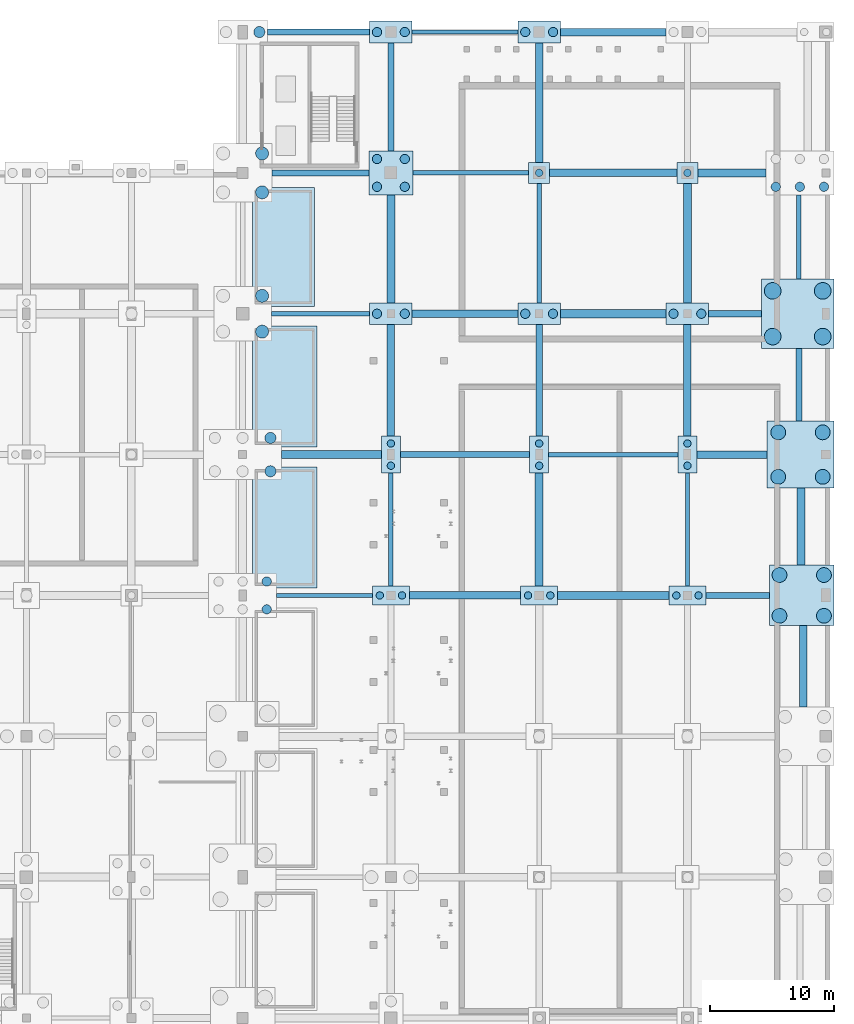
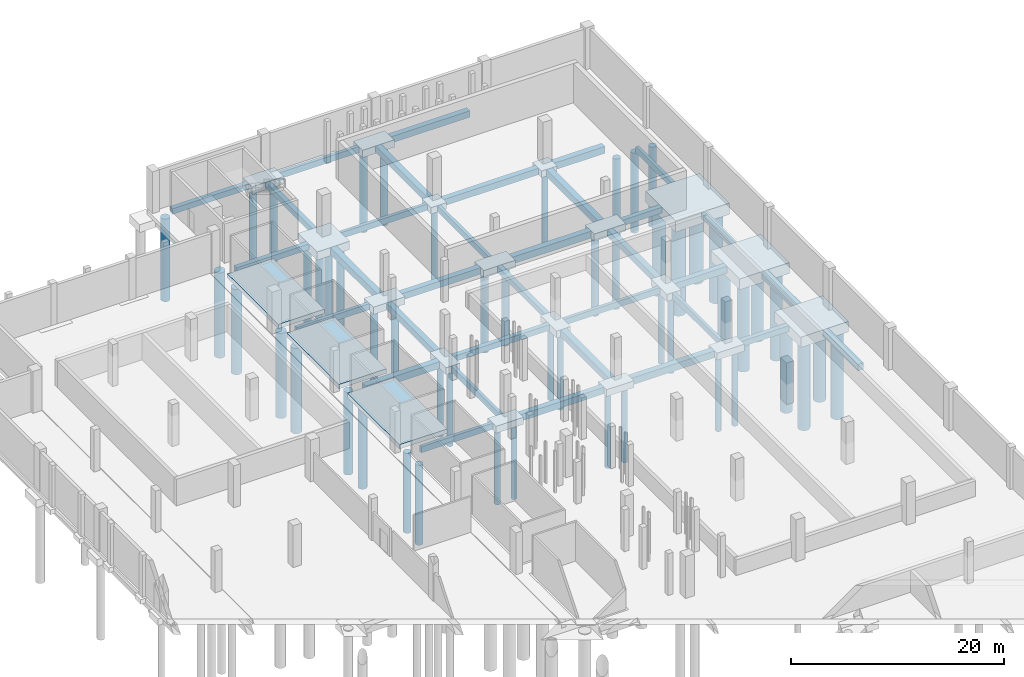
# One storey, part 9 of 34: 54 footings, 52 piles.
"""IFC4 building model written with IfcOpenShell, lengths in metres."""

from ifc_helpers import new_model, si_unit, direction, frame, origin, origin_2d, place, context, subcontext, project, spatial, rectangle, circle, extrude, material, material_profile, profile_set, type_object, element, save


model = new_model("IFC4")

# Units and contexts
model_context = context("Model", 3, precision=1e-05, world=origin(), true_north=direction((0.0, 1.0)))
body_context = subcontext(model_context, "Body", "Model", "MODEL_VIEW")
ifc_project = project(units=[si_unit("LENGTHUNIT", "METRE"), si_unit("AREAUNIT", "SQUARE_METRE"), si_unit("VOLUMEUNIT", "CUBIC_METRE"), si_unit("PLANEANGLEUNIT", "RADIAN"), si_unit("MASSUNIT", "GRAM", prefix="KILO"), si_unit("POWERUNIT", "WATT"), si_unit("THERMODYNAMICTEMPERATUREUNIT", "KELVIN")], contexts=[model_context])

# Site, building, storey
site_placement = place(None, origin())
site = spatial("IfcSite", under=ifc_project, at=site_placement, CompositionType="ELEMENT")
building_placement = place(site_placement, origin())
building = spatial("IfcBuilding", under=site, at=building_placement, Name="Kelmbourne Parkland Aquatics Centre", CompositionType="ELEMENT")
storey_placement = place(building_placement, frame((0.0, 0.0, -4.800048828125)))
storey = spatial("IfcBuildingStorey", under=building, at=storey_placement, Name="B1", CompositionType="ELEMENT", Elevation=-4.800048828125)

# Footings
ifc_material = material(Name="Waterproof concrete C50/60", Category="concrete")
footing_type_1 = type_object("IfcFootingType", Name="FT-FB1", PredefinedType="FOOTING_BEAM", material=ifc_material)
footing_1_placement = place(storey_placement, frame((168.074951171875, 69.199951171875, -1.099853515625), z_axis=(0.0, 0.0, 1.0), x_axis=(1.0, 0.0, 0.0)))
element("IfcFooting", 1, at=footing_1_placement, inside=storey, type_object=footing_type_1, Name="Ground tie beam S-T on Grid 10", PredefinedType="FOOTING_BEAM", context=body_context, shape_type="SweptSolid", body=[
    extrude(rectangle(XDim=5.14990234375, YDim=0.5, at=origin_2d()), origin(), (0.0, 0.0, 1.0), 0.64990234375),
])
footing_2_placement = place(storey_placement, frame((146.0, 80.60009765625, -1.099853515625), z_axis=(0.0, 0.0, 1.0), x_axis=(1.0, 0.0, 0.0)))
element("IfcFooting", 2, at=footing_2_placement, inside=storey, type_object=footing_type_1, Name="Ground tie beam Q-R on Grid 11", PredefinedType="FOOTING_BEAM", context=body_context, shape_type="SweptSolid", body=[
    extrude(rectangle(XDim=10.449951171875, YDim=0.5, at=origin_2d()), origin(), (0.0, 0.0, 1.0), 0.64990234375),
])
footing_3_placement = place(storey_placement, frame((167.862548828125, 92.0, -1.099853515625), z_axis=(0.0, 0.0, 1.0), x_axis=(1.0, 0.0, 0.0)))
element("IfcFooting", 3, at=footing_3_placement, inside=storey, type_object=footing_type_1, Name="Ground tie beam S-T on Grid 12", PredefinedType="FOOTING_BEAM", context=body_context, shape_type="SweptSolid", body=[
    extrude(rectangle(XDim=4.27490234375, YDim=0.5, at=origin_2d()), origin(), (0.0, 0.0, 1.0), 0.64990234375),
])
footing_4_placement = place(storey_placement, frame((134.300048828125, 103.39990234375, -1.099853515625), z_axis=(0.0, 0.0, 1.0), x_axis=(1.0, 0.0, 0.0)))
element("IfcFooting", 4, at=footing_4_placement, inside=storey, type_object=footing_type_1, Name="Ground tie beam P-Q on Grid 13", PredefinedType="FOOTING_BEAM", context=body_context, shape_type="SweptSolid", body=[
    extrude(rectangle(XDim=7.85009765625, YDim=0.5, at=origin_2d()), origin(), (0.0, 0.0, 1.0), 0.64990234375),
])
footing_5_placement = place(storey_placement, frame((134.137451171875, 114.800048828125, -1.099853515625), z_axis=(0.0, 0.0, 1.0), x_axis=(1.0, 0.0, 0.0)))
element("IfcFooting", 5, at=footing_5_placement, inside=storey, type_object=footing_type_1, Name="Ground tie beam P-Q on Grid 14", PredefinedType="FOOTING_BEAM", context=body_context, shape_type="SweptSolid", body=[
    extrude(rectangle(XDim=8.27490234375, YDim=0.5, at=origin_2d()), origin(), (0.0, 0.0, 1.0), 0.64990234375),
])
footing_6_placement = place(storey_placement, frame((140.0, 109.550048828125, -1.099853515625), z_axis=(0.0, 0.0, 1.0), x_axis=(0.0, 1.0, 0.0)))
element("IfcFooting", 6, at=footing_6_placement, inside=storey, type_object=footing_type_1, Name="Ground tie beam 13-14 on Grid Q", PredefinedType="FOOTING_BEAM", context=body_context, shape_type="SweptSolid", body=[
    extrude(rectangle(XDim=8.75, YDim=0.5, at=origin_2d()), origin(), (0.0, 0.0, 1.0), 0.64990234375),
])
footing_7_placement = place(storey_placement, frame((152.0, 86.612548828125, -1.099853515625), z_axis=(0.0, 0.0, 1.0), x_axis=(0.0, 1.0, 0.0)))
element("IfcFooting", 7, at=footing_7_placement, inside=storey, type_object=footing_type_1, Name="Ground tie beam 11-12 on Grid R", PredefinedType="FOOTING_BEAM", context=body_context, shape_type="SweptSolid", body=[
    extrude(rectangle(XDim=9.02490234375, YDim=0.5, at=origin_2d()), origin(), (0.0, 0.0, 1.0), 0.64990234375),
])
footing_8_placement = place(storey_placement, frame((173.03759765625, 86.237548828125, -1.099853515625), z_axis=(0.0, 0.0, 1.0), x_axis=(0.0, 1.0, 0.0)))
element("IfcFooting", 8, at=footing_8_placement, inside=storey, type_object=footing_type_1, Name="Ground tie beam 11-12 on Grid T", PredefinedType="FOOTING_BEAM", context=body_context, shape_type="SweptSolid", body=[
    extrude(rectangle(XDim=5.875, YDim=0.5, at=origin_2d()), origin(), (0.0, 0.0, 1.0), 0.64990234375),
])
footing_type_2 = type_object("IfcFootingType", Name="FT-FB2", PredefinedType="FOOTING_BEAM", material=ifc_material)
footing_9_placement = place(storey_placement, frame((134.625, 69.199951171875, -1.14990234375), z_axis=(0.0, 0.0, 1.0), x_axis=(1.0, 0.0, 0.0)))
element("IfcFooting", 9, at=footing_9_placement, inside=storey, type_object=footing_type_2, Name="Ground tie beam P-Q on Grid 10", PredefinedType="FOOTING_BEAM", context=body_context, shape_type="SweptSolid", body=[
    extrude(rectangle(XDim=7.75, YDim=0.35009765625, at=origin_2d()), origin(), (0.0, 0.0, 1.0), 0.699951171875),
])
footing_10_placement = place(storey_placement, frame((158.0, 80.60009765625, -1.14990234375), z_axis=(0.0, 0.0, 1.0), x_axis=(1.0, 0.0, 0.0)))
element("IfcFooting", 10, at=footing_10_placement, inside=storey, type_object=footing_type_2, Name="Ground tie beam R-S on Grid 11", PredefinedType="FOOTING_BEAM", context=body_context, shape_type="SweptSolid", body=[
    extrude(rectangle(XDim=10.449951171875, YDim=0.35009765625, at=origin_2d()), origin(), (0.0, 0.0, 1.0), 0.699951171875),
])
footing_11_placement = place(storey_placement, frame((134.300048828125, 92.0, -1.14990234375), z_axis=(0.0, 0.0, 1.0), x_axis=(1.0, 0.0, 0.0)))
element("IfcFooting", 11, at=footing_11_placement, inside=storey, type_object=footing_type_2, Name="Ground tie beam P-Q on Grid 12", PredefinedType="FOOTING_BEAM", context=body_context, shape_type="SweptSolid", body=[
    extrude(rectangle(XDim=7.949951171875, YDim=0.35009765625, at=origin_2d()), origin(), (0.0, 0.0, 1.0), 0.699951171875),
])
footing_12_placement = place(storey_placement, frame((146.46240234375, 103.39990234375, -1.14990234375), z_axis=(0.0, 0.0, 1.0), x_axis=(1.0, 0.0, 0.0)))
element("IfcFooting", 12, at=footing_12_placement, inside=storey, type_object=footing_type_2, Name="Ground tie beam Q-R on Grid 13", PredefinedType="FOOTING_BEAM", context=body_context, shape_type="SweptSolid", body=[
    extrude(rectangle(XDim=9.375, YDim=0.35009765625, at=origin_2d()), origin(), (0.0, 0.0, 1.0), 0.699951171875),
])
footing_13_placement = place(storey_placement, frame((146.0, 114.800048828125, -1.14990234375), z_axis=(0.0, 0.0, 1.0), x_axis=(1.0, 0.0, 0.0)))
element("IfcFooting", 13, at=footing_13_placement, inside=storey, type_object=footing_type_2, Name="Ground tie beam Q-R on Grid 14", PredefinedType="FOOTING_BEAM", context=body_context, shape_type="SweptSolid", body=[
    extrude(rectangle(XDim=8.550048828125, YDim=0.35009765625, at=origin_2d()), origin(), (0.0, 0.0, 1.0), 0.699951171875),
])
footing_14_placement = place(storey_placement, frame((140.0, 74.53759765625, -1.14990234375), z_axis=(0.0, 0.0, 1.0), x_axis=(0.0, 1.0, 0.0)))
element("IfcFooting", 14, at=footing_14_placement, inside=storey, type_object=footing_type_2, Name="Ground tie beam 10-11 on Grid Q", PredefinedType="FOOTING_BEAM", context=body_context, shape_type="SweptSolid", body=[
    extrude(rectangle(XDim=9.125, YDim=0.35009765625, at=origin_2d()), origin(), (0.0, 0.0, 1.0), 0.699951171875),
])
footing_15_placement = place(storey_placement, frame((152.0, 97.71240234375, -1.14990234375), z_axis=(0.0, 0.0, 1.0), x_axis=(0.0, 1.0, 0.0)))
element("IfcFooting", 15, at=footing_15_placement, inside=storey, type_object=footing_type_2, Name="Ground tie beam 12-13 on Grid R", PredefinedType="FOOTING_BEAM", context=body_context, shape_type="SweptSolid", body=[
    extrude(rectangle(XDim=9.675048828125, YDim=0.35009765625, at=origin_2d()), origin(), (0.0, 0.0, 1.0), 0.699951171875),
])
footing_16_placement = place(storey_placement, frame((164.0, 74.53759765625, -1.14990234375), z_axis=(0.0, 0.0, 1.0), x_axis=(0.0, 1.0, 0.0)))
element("IfcFooting", 16, at=footing_16_placement, inside=storey, type_object=footing_type_2, Name="Ground tie beam 10-11 on Grid S", PredefinedType="FOOTING_BEAM", context=body_context, shape_type="SweptSolid", body=[
    extrude(rectangle(XDim=9.125, YDim=0.35009765625, at=origin_2d()), origin(), (0.0, 0.0, 1.0), 0.699951171875),
])
footing_17_placement = place(storey_placement, frame((173.012451171875, 98.22509765625, -1.14990234375), z_axis=(0.0, 0.0, 1.0), x_axis=(0.0, 1.0, 0.0)))
element("IfcFooting", 17, at=footing_17_placement, inside=storey, type_object=footing_type_2, Name="Ground tie beam 12-13 on Grid T", PredefinedType="FOOTING_BEAM", context=body_context, shape_type="SweptSolid", body=[
    extrude(rectangle(XDim=6.800048828125, YDim=0.35009765625, at=origin_2d()), origin(), (0.0, 0.0, 1.0), 0.699951171875),
])
footing_type_3 = type_object("IfcFootingType", Name="FT-FB3", PredefinedType="FOOTING_BEAM", material=ifc_material)
footing_18_placement = place(storey_placement, frame((146.0, 69.199951171875, -1.199951171875), z_axis=(0.0, 0.0, 1.0), x_axis=(1.0, 0.0, 0.0)))
element("IfcFooting", 18, at=footing_18_placement, inside=storey, type_object=footing_type_3, Name="Ground tie beam Q-R on Grid 10", PredefinedType="FOOTING_BEAM", context=body_context, shape_type="SweptSolid", body=[
    extrude(rectangle(XDim=9.0, YDim=0.60009765625, at=origin_2d()), origin(), (0.0, 0.0, 1.0), 0.75),
])
footing_19_placement = place(storey_placement, frame((167.612548828125, 80.60009765625, -1.199951171875), z_axis=(0.0, 0.0, 1.0), x_axis=(1.0, 0.0, 0.0)))
element("IfcFooting", 19, at=footing_19_placement, inside=storey, type_object=footing_type_3, Name="Ground tie beam S-T on Grid 11", PredefinedType="FOOTING_BEAM", context=body_context, shape_type="SweptSolid", body=[
    extrude(rectangle(XDim=5.675048828125, YDim=0.60009765625, at=origin_2d()), origin(), (0.0, 0.0, 1.0), 0.75),
])
footing_20_placement = place(storey_placement, frame((146.0, 92.0, -1.199951171875), z_axis=(0.0, 0.0, 1.0), x_axis=(1.0, 0.0, 0.0)))
element("IfcFooting", 20, at=footing_20_placement, inside=storey, type_object=footing_type_3, Name="Ground tie beam Q-R on Grid 12", PredefinedType="FOOTING_BEAM", context=body_context, shape_type="SweptSolid", body=[
    extrude(rectangle(XDim=8.550048828125, YDim=0.60009765625, at=origin_2d()), origin(), (0.0, 0.0, 1.0), 0.75),
])
footing_21_placement = place(storey_placement, frame((158.0, 103.39990234375, -1.199951171875), z_axis=(0.0, 0.0, 1.0), x_axis=(1.0, 0.0, 0.0)))
element("IfcFooting", 21, at=footing_21_placement, inside=storey, type_object=footing_type_3, Name="Ground tie beam R-S on Grid 13", PredefinedType="FOOTING_BEAM", context=body_context, shape_type="SweptSolid", body=[
    extrude(rectangle(XDim=10.300048828125, YDim=0.60009765625, at=origin_2d()), origin(), (0.0, 0.0, 1.0), 0.75),
])
footing_22_placement = place(storey_placement, frame((158.0, 114.800048828125, -1.199951171875), z_axis=(0.0, 0.0, 1.0), x_axis=(1.0, 0.0, 0.0)))
element("IfcFooting", 22, at=footing_22_placement, inside=storey, type_object=footing_type_3, Name="Ground tie beam R-S on Grid 14", PredefinedType="FOOTING_BEAM", context=body_context, shape_type="SweptSolid", body=[
    extrude(rectangle(XDim=8.550048828125, YDim=0.60009765625, at=origin_2d()), origin(), (0.0, 0.0, 1.0), 0.75),
])
footing_23_placement = place(storey_placement, frame((140.0, 86.612548828125, -1.199951171875), z_axis=(0.0, 0.0, 1.0), x_axis=(0.0, 1.0, 0.0)))
element("IfcFooting", 23, at=footing_23_placement, inside=storey, type_object=footing_type_3, Name="Ground tie beam 11-12 on Grid Q", PredefinedType="FOOTING_BEAM", context=body_context, shape_type="SweptSolid", body=[
    extrude(rectangle(XDim=9.02490234375, YDim=0.60009765625, at=origin_2d()), origin(), (0.0, 0.0, 1.0), 0.75),
])
footing_24_placement = place(storey_placement, frame((152.0, 109.08740234375, -1.199951171875), z_axis=(0.0, 0.0, 1.0), x_axis=(0.0, 1.0, 0.0)))
element("IfcFooting", 24, at=footing_24_placement, inside=storey, type_object=footing_type_3, Name="Ground tie beam 13-14 on Grid R", PredefinedType="FOOTING_BEAM", context=body_context, shape_type="SweptSolid", body=[
    extrude(rectangle(XDim=9.675048828125, YDim=0.60009765625, at=origin_2d()), origin(), (0.0, 0.0, 1.0), 0.75),
])
footing_25_placement = place(storey_placement, frame((164.0, 86.612548828125, -1.199951171875), z_axis=(0.0, 0.0, 1.0), x_axis=(0.0, 1.0, 0.0)))
element("IfcFooting", 25, at=footing_25_placement, inside=storey, type_object=footing_type_3, Name="Ground tie beam 11-12 on Grid S", PredefinedType="FOOTING_BEAM", context=body_context, shape_type="SweptSolid", body=[
    extrude(rectangle(XDim=9.02490234375, YDim=0.60009765625, at=origin_2d()), origin(), (0.0, 0.0, 1.0), 0.75),
])
footing_26_placement = place(storey_placement, frame((173.362548828125, 63.46240234375, -1.199951171875), z_axis=(0.0, 0.0, 1.0), x_axis=(0.0, 1.0, 0.0)))
element("IfcFooting", 26, at=footing_26_placement, inside=storey, type_object=footing_type_3, Name="Ground tie beam 08-10 on Grid T", PredefinedType="FOOTING_BEAM", context=body_context, shape_type="SweptSolid", body=[
    extrude(rectangle(XDim=6.574951171875, YDim=0.60009765625, at=origin_2d()), origin(), (0.0, 0.0, 1.0), 0.75),
])
footing_type_4 = type_object("IfcFootingType", Name="FT-FB4", PredefinedType="FOOTING_BEAM", material=ifc_material)
footing_27_placement = place(storey_placement, frame((158.0, 69.199951171875, -1.25), z_axis=(0.0, 0.0, 1.0), x_axis=(1.0, 0.0, 0.0)))
element("IfcFooting", 27, at=footing_27_placement, inside=storey, type_object=footing_type_4, Name="Ground tie beam R-S on Grid 10", PredefinedType="FOOTING_BEAM", context=body_context, shape_type="SweptSolid", body=[
    extrude(rectangle(XDim=9.0, YDim=0.64990234375, at=origin_2d()), origin(), (0.0, 0.0, 1.0), 0.800048828125),
])
footing_28_placement = place(storey_placement, frame((135.1875, 80.60009765625, -1.25), z_axis=(0.0, 0.0, 1.0), x_axis=(1.0, 0.0, 0.0)))
element("IfcFooting", 28, at=footing_28_placement, inside=storey, type_object=footing_type_4, Name="Ground tie beam P-Q on Grid 11", PredefinedType="FOOTING_BEAM", context=body_context, shape_type="SweptSolid", body=[
    extrude(rectangle(XDim=8.074951171875, YDim=0.64990234375, at=origin_2d()), origin(), (0.0, 0.0, 1.0), 0.800048828125),
])
footing_29_placement = place(storey_placement, frame((158.0, 92.0, -1.25), z_axis=(0.0, 0.0, 1.0), x_axis=(1.0, 0.0, 0.0)))
element("IfcFooting", 29, at=footing_29_placement, inside=storey, type_object=footing_type_4, Name="Ground tie beam R-S on Grid 12", PredefinedType="FOOTING_BEAM", context=body_context, shape_type="SweptSolid", body=[
    extrude(rectangle(XDim=8.550048828125, YDim=0.64990234375, at=origin_2d()), origin(), (0.0, 0.0, 1.0), 0.800048828125),
])
footing_30_placement = place(storey_placement, frame((167.60009765625, 103.39990234375, -1.25), z_axis=(0.0, 0.0, 1.0), x_axis=(1.0, 0.0, 0.0)))
element("IfcFooting", 30, at=footing_30_placement, inside=storey, type_object=footing_type_4, Name="Ground tie beam S-T on Grid 13", PredefinedType="FOOTING_BEAM", context=body_context, shape_type="SweptSolid", body=[
    extrude(rectangle(XDim=5.5, YDim=0.64990234375, at=origin_2d()), origin(), (0.0, 0.0, 1.0), 0.800048828125),
])
footing_31_placement = place(storey_placement, frame((140.0, 97.25, -1.25), z_axis=(0.0, 0.0, 1.0), x_axis=(0.0, 1.0, 0.0)))
element("IfcFooting", 31, at=footing_31_placement, inside=storey, type_object=footing_type_4, Name="Ground tie beam 12-13 on Grid Q", PredefinedType="FOOTING_BEAM", context=body_context, shape_type="SweptSolid", body=[
    extrude(rectangle(XDim=8.75, YDim=0.64990234375, at=origin_2d()), origin(), (0.0, 0.0, 1.0), 0.800048828125),
])
footing_32_placement = place(storey_placement, frame((152.0, 74.53759765625, -1.25), z_axis=(0.0, 0.0, 1.0), x_axis=(0.0, 1.0, 0.0)))
element("IfcFooting", 32, at=footing_32_placement, inside=storey, type_object=footing_type_4, Name="Ground tie beam 10-11 on Grid R", PredefinedType="FOOTING_BEAM", context=body_context, shape_type="SweptSolid", body=[
    extrude(rectangle(XDim=9.125, YDim=0.64990234375, at=origin_2d()), origin(), (0.0, 0.0, 1.0), 0.800048828125),
])
footing_33_placement = place(storey_placement, frame((164.0, 97.71240234375, -1.25), z_axis=(0.0, 0.0, 1.0), x_axis=(0.0, 1.0, 0.0)))
element("IfcFooting", 33, at=footing_33_placement, inside=storey, type_object=footing_type_4, Name="Ground tie beam 12-13 on Grid S", PredefinedType="FOOTING_BEAM", context=body_context, shape_type="SweptSolid", body=[
    extrude(rectangle(XDim=9.675048828125, YDim=0.64990234375, at=origin_2d()), origin(), (0.0, 0.0, 1.0), 0.800048828125),
])
footing_34_placement = place(storey_placement, frame((173.199951171875, 74.77490234375, -1.25), z_axis=(0.0, 0.0, 1.0), x_axis=(0.0, 1.0, 0.0)))
element("IfcFooting", 34, at=footing_34_placement, inside=storey, type_object=footing_type_4, Name="Ground tie beam 10-11 on Grid T", PredefinedType="FOOTING_BEAM", context=body_context, shape_type="SweptSolid", body=[
    extrude(rectangle(XDim=6.25, YDim=0.64990234375, at=origin_2d()), origin(), (0.0, 0.0, 1.0), 0.800048828125),
])
footing_type_5 = type_object("IfcFootingType", Name="FT-PC01", PredefinedType="PILE_CAP", material=ifc_material)
for number, where, z_axis, x_axis, name in (
    (35, (152.0, 103.39990234375, -1.199951171875), (0.0, 0.0, 1.0), (1.0, 0.0, 0.0), "Bored pile cap PC-R-13"),
    (36, (164.0, 103.39990234375, -1.199951171875), (0.0, 0.0, 1.0), (1.0, 0.0, 0.0), "Bored pile cap PC-S-13"),
):
    element("IfcFooting", number, at=place(storey_placement, frame(where, z_axis=z_axis, x_axis=x_axis)), inside=storey, type_object=footing_type_5, Name=name, PredefinedType="PILE_CAP", context=body_context, shape_type="SweptSolid", body=[
        extrude(rectangle(XDim=1.699951171875, YDim=1.699951171875, at=origin_2d()), origin(), (0.0, 0.0, 1.0), 0.75),
    ])
footing_type_6 = type_object("IfcFootingType", Name="FT-PC04", PredefinedType="PILE_CAP", material=ifc_material)
for number, where, z_axis, x_axis, name in (
    (37, (140.0, 69.199951171875, -1.25), (0.0, 0.0, 1.0), (1.0, 0.0, 0.0), "Bored pile cap PC-Q-10"),
    (38, (152.0, 69.199951171875, -1.25), (0.0, 0.0, 1.0), (1.0, 0.0, 0.0), "Bored pile cap PC-R-10"),
    (39, (164.0, 69.199951171875, -1.25), (0.0, 0.0, 1.0), (1.0, 0.0, 0.0), "Bored pile cap PC-S-10"),
):
    element("IfcFooting", number, at=place(storey_placement, frame(where, z_axis=z_axis, x_axis=x_axis)), inside=storey, type_object=footing_type_6, Name=name, PredefinedType="PILE_CAP", context=body_context, shape_type="SweptSolid", body=[
        extrude(rectangle(XDim=3.0, YDim=1.550048828125, at=origin_2d()), origin(), (0.0, 0.0, 1.0), 0.800048828125),
    ])
footing_type_7 = type_object("IfcFootingType", Name="FT-PC05", PredefinedType="PILE_CAP", material=ifc_material)
for number, where, z_axis, x_axis, name in (
    (40, (140.0, 80.60009765625, -1.25), (0.0, 0.0, 1.0), (1.0, 0.0, 0.0), "Bored pile cap PC-Q-11"),
    (41, (152.0, 80.60009765625, -1.25), (0.0, 0.0, 1.0), (1.0, 0.0, 0.0), "Bored pile cap PC-R-11"),
    (42, (164.0, 80.60009765625, -1.25), (0.0, 0.0, 1.0), (1.0, 0.0, 0.0), "Bored pile cap PC-S-11"),
):
    element("IfcFooting", number, at=place(storey_placement, frame(where, z_axis=z_axis, x_axis=x_axis)), inside=storey, type_object=footing_type_7, Name=name, PredefinedType="PILE_CAP", context=body_context, shape_type="SweptSolid", body=[
        extrude(rectangle(XDim=1.550048828125, YDim=3.0, at=origin_2d()), origin(), (0.0, 0.0, 1.0), 0.800048828125),
    ])
footing_type_8 = type_object("IfcFootingType", Name="FT-PC06", PredefinedType="PILE_CAP", material=ifc_material)
for number, where, z_axis, x_axis, name in (
    (43, (140.0, 92.0, -1.300048828125), (0.0, 0.0, 1.0), (1.0, 0.0, 0.0), "Bored pile cap PC-Q-12"),
    (44, (140.0, 114.800048828125, -1.300048828125), (0.0, 0.0, 1.0), (1.0, 0.0, 0.0), "Bored pile cap PC-Q-14"),
    (45, (152.0, 92.0, -1.300048828125), (0.0, 0.0, 1.0), (1.0, 0.0, 0.0), "Bored pile cap PC-R-12"),
    (46, (152.0, 114.800048828125, -1.300048828125), (0.0, 0.0, 1.0), (1.0, 0.0, 0.0), "Bored pile cap PC-R-14"),
    (47, (164.0, 92.0, -1.300048828125), (0.0, 0.0, 1.0), (1.0, 0.0, 0.0), "Bored pile cap PC-S-12"),
):
    element("IfcFooting", number, at=place(storey_placement, frame(where, z_axis=z_axis, x_axis=x_axis)), inside=storey, type_object=footing_type_8, Name=name, PredefinedType="PILE_CAP", context=body_context, shape_type="SweptSolid", body=[
        extrude(rectangle(XDim=3.449951171875, YDim=1.75, at=origin_2d()), origin(), (0.0, 0.0, 1.0), 0.85009765625),
    ])
footing_type_9 = type_object("IfcFootingType", Name="FT-PC13", PredefinedType="PILE_CAP", material=ifc_material)
footing_35_placement = place(storey_placement, frame((140.0, 103.39990234375, -1.39990234375), z_axis=(0.0, 0.0, 1.0), x_axis=(1.0, 0.0, 0.0)))
element("IfcFooting", 48, at=footing_35_placement, inside=storey, type_object=footing_type_9, Name="Bored pile cap PC-Q-13", PredefinedType="PILE_CAP", context=body_context, shape_type="SweptSolid", body=[
    extrude(rectangle(XDim=3.550048828125, YDim=3.550048828125, at=origin_2d()), origin(), (0.0, 0.0, 1.0), 0.949951171875),
])
footing_type_10 = type_object("IfcFootingType", Name="FT-PC18", PredefinedType="PILE_CAP", material=ifc_material)
footing_36_placement = place(storey_placement, frame((173.25, 69.199951171875, -1.64990234375), z_axis=(0.0, 0.0, 1.0), x_axis=(1.0, 0.0, 0.0)))
element("IfcFooting", 49, at=footing_36_placement, inside=storey, type_object=footing_type_10, Name="Bored pile cap PC-T-10", PredefinedType="PILE_CAP", context=body_context, shape_type="SweptSolid", body=[
    extrude(rectangle(XDim=5.199951171875, YDim=4.89990234375, at=origin_2d()), origin(), (0.0, 0.0, 1.0), 1.199951171875),
])
footing_type_11 = type_object("IfcFootingType", Name="FT-PC19", PredefinedType="PILE_CAP", material=ifc_material)
footing_37_placement = place(storey_placement, frame((173.14990234375, 80.60009765625, -1.699951171875), z_axis=(0.0, 0.0, 1.0), x_axis=(1.0, 0.0, 0.0)))
element("IfcFooting", 50, at=footing_37_placement, inside=storey, type_object=footing_type_11, Name="Bored pile cap PC-T-11", PredefinedType="PILE_CAP", context=body_context, shape_type="SweptSolid", body=[
    extrude(rectangle(XDim=5.39990234375, YDim=5.39990234375, at=origin_2d()), origin(), (0.0, 0.0, 1.0), 1.25),
])
footing_type_12 = type_object("IfcFootingType", Name="FT-PC20", PredefinedType="PILE_CAP", material=ifc_material)
footing_38_placement = place(storey_placement, frame((172.925048828125, 92.0, -1.75), z_axis=(0.0, 0.0, 1.0), x_axis=(1.0, 0.0, 0.0)))
element("IfcFooting", 51, at=footing_38_placement, inside=storey, type_object=footing_type_12, Name="Bored pile cap PC-T-12", PredefinedType="PILE_CAP", context=body_context, shape_type="SweptSolid", body=[
    extrude(rectangle(XDim=5.85009765625, YDim=5.64990234375, at=origin_2d()), origin(), (0.0, 0.0, 1.0), 1.300048828125),
])
footing_type_13 = type_object("IfcFootingType", Name="FT-SF1", PredefinedType="STRIP_FOOTING", material=ifc_material)
footing_39_placement = place(storey_placement, frame((131.300048828125, 97.39990234375, -0.5), z_axis=(0.0, 0.0, 1.0), x_axis=(1.0, 0.0, 0.0)))
element("IfcFooting", 52, at=footing_39_placement, inside=storey, type_object=footing_type_13, Name="Main Bowl North Concourse Exit Stair foundation pad", PredefinedType="STRIP_FOOTING", context=body_context, shape_type="SweptSolid", body=[
    extrude(rectangle(XDim=5.0, YDim=9.60009765625, at=origin_2d()), origin(), (0.0, 0.0, 1.0), 0.5),
])
for number, where, z_axis, x_axis, name in (
    (53, (131.39990234375, 74.699951171875, -0.5), (0.0, 0.0, 1.0), (1.0, 0.0, 0.0), "Spectator Bowl Exit Stair Bay 7 foundation pad"),
    (54, (131.39990234375, 86.10009765625, -0.5), (0.0, 0.0, 1.0), (1.0, 0.0, 0.0), "Spectator Bowl Exit Stair Bay 8 foundation pad"),
):
    element("IfcFooting", number, at=place(storey_placement, frame(where, z_axis=z_axis, x_axis=x_axis)), inside=storey, type_object=footing_type_13, Name=name, PredefinedType="STRIP_FOOTING", context=body_context, shape_type="SweptSolid", body=[
        extrude(rectangle(XDim=5.199951171875, YDim=9.800048828125, at=origin_2d()), origin(), (0.0, 0.0, 1.0), 0.5),
    ])

# Piles
ifc_material_profile_1 = material_profile(ifc_material, circle(Radius=0.52490234375, at=origin_2d()), Name="PILE D1050")
ifc_profile_set_1 = profile_set([ifc_material_profile_1], Name="Waterproof concrete C50/60")
pile_type_1 = type_object("IfcPileType", Name="PL-1050", PredefinedType="BORED", material=ifc_profile_set_1)
for number, where, z_axis, x_axis, name in (
    (55, (129.574951171875, 90.550048828125, -1.449951171875), (0.0, 0.0, -1.0), (1.0, 0.0, 0.0), "Rock-socketed bored pile P-12-2"),
    (56, (129.574951171875, 93.449951171875, -1.449951171875), (0.0, 0.0, -1.0), (1.0, 0.0, 0.0), "Rock-socketed bored pile P-12-4"),
    (57, (129.574951171875, 101.824951171875, -1.5), (0.0, 0.0, -1.0), (1.0, 0.0, 0.0), "Rock-socketed bored pile P-13-2"),
    (58, (129.574951171875, 104.97509765625, -1.5), (0.0, 0.0, -1.0), (1.0, 0.0, 0.0), "Rock-socketed bored pile P-13-4"),
):
    element("IfcPile", number, at=place(storey_placement, frame(where, z_axis=z_axis, x_axis=x_axis)), inside=storey, type_object=pile_type_1, Name=name, PredefinedType="BORED", context=body_context, shape_type="SweptSolid", body=[
        extrude(circle(Radius=0.52490234375, at=origin_2d()), origin(), (0.0, 0.0, 1.0), 9.800048828125),
    ])
ifc_material_profile_2 = material_profile(ifc_material, circle(Radius=0.60009765625, at=origin_2d()), Name="PILE D1200")
ifc_profile_set_2 = profile_set([ifc_material_profile_2], Name="Waterproof concrete C50/60")
pile_type_2 = type_object("IfcPileType", Name="PL-1200", PredefinedType="BORED", material=ifc_profile_set_2)
for number, where, z_axis, x_axis, name in (
    (59, (171.449951171875, 67.550048828125, -1.550048828125), (0.0, 0.0, -1.0), (1.0, 0.0, 0.0), "Rock-socketed bored pile T-10-1"),
    (60, (175.050048828125, 67.550048828125, -1.550048828125), (0.0, 0.0, -1.0), (1.0, 0.0, 0.0), "Rock-socketed bored pile T-10-2"),
    (61, (171.449951171875, 70.85009765625, -1.550048828125), (0.0, 0.0, -1.0), (1.0, 0.0, 0.0), "Rock-socketed bored pile T-10-3"),
    (62, (175.050048828125, 70.85009765625, -1.550048828125), (0.0, 0.0, -1.0), (1.0, 0.0, 0.0), "Rock-socketed bored pile T-10-4"),
    (63, (171.35009765625, 78.800048828125, -1.599853515625), (0.0, 0.0, -1.0), (1.0, 0.0, 0.0), "Rock-socketed bored pile T-11-1"),
    (64, (174.949951171875, 78.800048828125, -1.599853515625), (0.0, 0.0, -1.0), (1.0, 0.0, 0.0), "Rock-socketed bored pile T-11-2"),
    (65, (171.35009765625, 82.39990234375, -1.599853515625), (0.0, 0.0, -1.0), (1.0, 0.0, 0.0), "Rock-socketed bored pile T-11-3"),
    (66, (174.949951171875, 82.39990234375, -1.599853515625), (0.0, 0.0, -1.0), (1.0, 0.0, 0.0), "Rock-socketed bored pile T-11-4"),
):
    element("IfcPile", number, at=place(storey_placement, frame(where, z_axis=z_axis, x_axis=x_axis)), inside=storey, type_object=pile_type_2, Name=name, PredefinedType="BORED", context=body_context, shape_type="SweptSolid", body=[
        extrude(circle(Radius=0.60009765625, at=origin_2d()), origin(), (0.0, 0.0, 1.0), 10.0),
    ])
ifc_material_profile_3 = material_profile(ifc_material, circle(Radius=0.675048828125, at=origin_2d()), Name="PILE D1350")
ifc_profile_set_3 = profile_set([ifc_material_profile_3], Name="Waterproof concrete C50/60")
pile_type_3 = type_object("IfcPileType", Name="PL-1350", PredefinedType="BORED", material=ifc_profile_set_3)
for number, where, z_axis, x_axis, name in (
    (67, (170.89990234375, 90.14990234375, -1.64990234375), (0.0, 0.0, -1.0), (1.0, 0.0, 0.0), "Rock-socketed bored pile T-12-1"),
    (68, (174.949951171875, 90.14990234375, -1.64990234375), (0.0, 0.0, -1.0), (1.0, 0.0, 0.0), "Rock-socketed bored pile T-12-2"),
    (69, (170.89990234375, 93.85009765625, -1.64990234375), (0.0, 0.0, -1.0), (1.0, 0.0, 0.0), "Rock-socketed bored pile T-12-3"),
    (70, (174.949951171875, 93.85009765625, -1.64990234375), (0.0, 0.0, -1.0), (1.0, 0.0, 0.0), "Rock-socketed bored pile T-12-4"),
):
    element("IfcPile", number, at=place(storey_placement, frame(where, z_axis=z_axis, x_axis=x_axis)), inside=storey, type_object=pile_type_3, Name=name, PredefinedType="BORED", context=body_context, shape_type="SweptSolid", body=[
        extrude(circle(Radius=0.675048828125, at=origin_2d()), origin(), (0.0, 0.0, 1.0), 10.199951171875),
    ])
ifc_material_profile_4 = material_profile(ifc_material, circle(Radius=0.300048828125, at=origin_2d()), Name="PILE D600")
ifc_profile_set_4 = profile_set([ifc_material_profile_4], Name="Waterproof concrete C50/60")
pile_type_4 = type_object("IfcPileType", Name="PL-600", PredefinedType="BORED", material=ifc_profile_set_4)
for number, where, z_axis, x_axis, name in (
    (71, (139.10009765625, 69.199951171875, -1.14990234375), (0.0, 0.0, -1.0), (1.0, 0.0, 0.0), "Rock-socketed bored pile Q-10-1"),
    (72, (140.89990234375, 69.199951171875, -1.14990234375), (0.0, 0.0, -1.0), (1.0, 0.0, 0.0), "Rock-socketed bored pile Q-10-2"),
    (73, (140.0, 79.699951171875, -1.14990234375), (0.0, 0.0, -1.0), (1.0, 0.0, 0.0), "Rock-socketed bored pile Q-11-1"),
    (74, (140.0, 81.5, -1.14990234375), (0.0, 0.0, -1.0), (1.0, 0.0, 0.0), "Rock-socketed bored pile Q-11-2"),
    (75, (151.10009765625, 69.199951171875, -1.14990234375), (0.0, 0.0, -1.0), (1.0, 0.0, 0.0), "Rock-socketed bored pile R-10-1"),
    (76, (152.89990234375, 69.199951171875, -1.14990234375), (0.0, 0.0, -1.0), (1.0, 0.0, 0.0), "Rock-socketed bored pile R-10-2"),
    (77, (152.0, 79.699951171875, -1.14990234375), (0.0, 0.0, -1.0), (1.0, 0.0, 0.0), "Rock-socketed bored pile R-11-1"),
    (78, (152.0, 81.5, -1.14990234375), (0.0, 0.0, -1.0), (1.0, 0.0, 0.0), "Rock-socketed bored pile R-11-2"),
    (79, (152.0, 103.39990234375, -1.099853515625), (0.0, 0.0, -1.0), (1.0, 0.0, 0.0), "Rock-socketed bored pile R-13-1"),
    (80, (163.10009765625, 69.199951171875, -1.14990234375), (0.0, 0.0, -1.0), (1.0, 0.0, 0.0), "Rock-socketed bored pile S-10-1"),
    (81, (164.89990234375, 69.199951171875, -1.14990234375), (0.0, 0.0, -1.0), (1.0, 0.0, 0.0), "Rock-socketed bored pile S-10-2"),
    (82, (164.0, 79.699951171875, -1.14990234375), (0.0, 0.0, -1.0), (1.0, 0.0, 0.0), "Rock-socketed bored pile S-11-1"),
    (83, (164.0, 81.5, -1.14990234375), (0.0, 0.0, -1.0), (1.0, 0.0, 0.0), "Rock-socketed bored pile S-11-2"),
    (84, (164.0, 103.39990234375, -1.099853515625), (0.0, 0.0, -1.0), (1.0, 0.0, 0.0), "Rock-socketed bored pile S-13-1"),
):
    element("IfcPile", number, at=place(storey_placement, frame(where, z_axis=z_axis, x_axis=x_axis)), inside=storey, type_object=pile_type_4, Name=name, PredefinedType="BORED", context=body_context, shape_type="SweptSolid", body=[
        extrude(circle(Radius=0.300048828125, at=origin_2d()), origin(), (0.0, 0.0, 1.0), 8.800048828125),
    ])
ifc_material_profile_5 = material_profile(ifc_material, circle(Radius=0.375, at=origin_2d()), Name="PILE D750")
ifc_profile_set_5 = profile_set([ifc_material_profile_5], Name="Waterproof concrete C50/60")
pile_type_5 = type_object("IfcPileType", Name="PL-750", PredefinedType="BORED", material=ifc_profile_set_5)
for number, where, z_axis, x_axis, name in (
    (85, (129.949951171875, 68.074951171875, -1.449951171875), (0.0, 0.0, -1.0), (1.0, 0.0, 0.0), "Rock-socketed bored pile P-10-3"),
    (86, (129.949951171875, 70.324951171875, -1.449951171875), (0.0, 0.0, -1.0), (1.0, 0.0, 0.0), "Rock-socketed bored pile P-10-6"),
    (87, (138.875, 92.0, -1.199951171875), (0.0, 0.0, -1.0), (1.0, 0.0, 0.0), "Rock-socketed bored pile Q-12-1"),
    (88, (141.125, 92.0, -1.199951171875), (0.0, 0.0, -1.0), (1.0, 0.0, 0.0), "Rock-socketed bored pile Q-12-2"),
    (89, (138.875, 102.27490234375, -1.300048828125), (0.0, 0.0, -1.0), (1.0, 0.0, 0.0), "Rock-socketed bored pile Q-13-1"),
    (90, (141.125, 102.27490234375, -1.300048828125), (0.0, 0.0, -1.0), (1.0, 0.0, 0.0), "Rock-socketed bored pile Q-13-2"),
    (91, (138.875, 104.52490234375, -1.300048828125), (0.0, 0.0, -1.0), (1.0, 0.0, 0.0), "Rock-socketed bored pile Q-13-3"),
    (92, (141.125, 104.52490234375, -1.300048828125), (0.0, 0.0, -1.0), (1.0, 0.0, 0.0), "Rock-socketed bored pile Q-13-4"),
    (93, (138.875, 114.800048828125, -1.199951171875), (0.0, 0.0, -1.0), (1.0, 0.0, 0.0), "Rock-socketed bored pile Q-14-1"),
    (94, (141.125, 114.800048828125, -1.199951171875), (0.0, 0.0, -1.0), (1.0, 0.0, 0.0), "Rock-socketed bored pile Q-14-2"),
    (95, (150.875, 92.0, -1.199951171875), (0.0, 0.0, -1.0), (1.0, 0.0, 0.0), "Rock-socketed bored pile R-12-1"),
    (96, (153.125, 92.0, -1.199951171875), (0.0, 0.0, -1.0), (1.0, 0.0, 0.0), "Rock-socketed bored pile R-12-2"),
    (97, (150.875, 114.800048828125, -1.199951171875), (0.0, 0.0, -1.0), (1.0, 0.0, 0.0), "Rock-socketed bored pile R-14-1"),
    (98, (153.125, 114.800048828125, -1.199951171875), (0.0, 0.0, -1.0), (1.0, 0.0, 0.0), "Rock-socketed bored pile R-14-2"),
    (99, (162.875, 92.0, -1.199951171875), (0.0, 0.0, -1.0), (1.0, 0.0, 0.0), "Rock-socketed bored pile S-12-1"),
    (100, (165.125, 92.0, -1.199951171875), (0.0, 0.0, -1.0), (1.0, 0.0, 0.0), "Rock-socketed bored pile S-12-2"),
    (101, (171.14990234375, 102.27490234375, -1.449951171875), (0.0, 0.0, -1.0), (1.0, 0.0, 0.0), "Rock-socketed bored pile T-13-1"),
    (102, (173.10009765625, 102.27490234375, -1.449951171875), (0.0, 0.0, -1.0), (1.0, 0.0, 0.0), "Rock-socketed bored pile T-13-2"),
    (103, (175.050048828125, 102.27490234375, -1.449951171875), (0.0, 0.0, -1.0), (1.0, 0.0, 0.0), "Rock-socketed bored pile T-13-3"),
):
    element("IfcPile", number, at=place(storey_placement, frame(where, z_axis=z_axis, x_axis=x_axis)), inside=storey, type_object=pile_type_5, Name=name, PredefinedType="BORED", context=body_context, shape_type="SweptSolid", body=[
        extrude(circle(Radius=0.375, at=origin_2d()), origin(), (0.0, 0.0, 1.0), 9.199951171875),
    ])
ifc_material_profile_6 = material_profile(ifc_material, circle(Radius=0.449951171875, at=origin_2d()), Name="PILE D900")
ifc_profile_set_6 = profile_set([ifc_material_profile_6], Name="Waterproof concrete C50/60")
pile_type_6 = type_object("IfcPileType", Name="PL-900", PredefinedType="BORED", material=ifc_profile_set_6)
for number, where, z_axis, x_axis, name in (
    (104, (130.25, 79.25, -1.550048828125), (0.0, 0.0, -1.0), (1.0, 0.0, 0.0), "Rock-socketed bored pile P-11-3"),
    (105, (130.25, 81.949951171875, -1.550048828125), (0.0, 0.0, -1.0), (1.0, 0.0, 0.0), "Rock-socketed bored pile P-11-6"),
    (106, (129.35009765625, 114.800048828125, -1.25), (0.0, 0.0, -1.0), (1.0, 0.0, 0.0), "Rock-socketed bored pile P-14-2"),
):
    element("IfcPile", number, at=place(storey_placement, frame(where, z_axis=z_axis, x_axis=x_axis)), inside=storey, type_object=pile_type_6, Name=name, PredefinedType="BORED", context=body_context, shape_type="SweptSolid", body=[
        extrude(circle(Radius=0.449951171875, at=origin_2d()), origin(), (0.0, 0.0, 1.0), 9.5),
    ])

save(model, "model.ifc")
